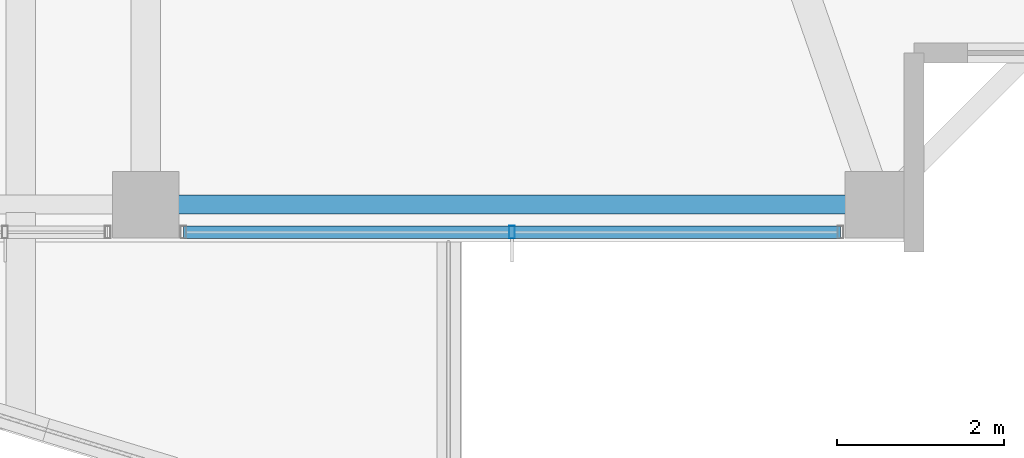
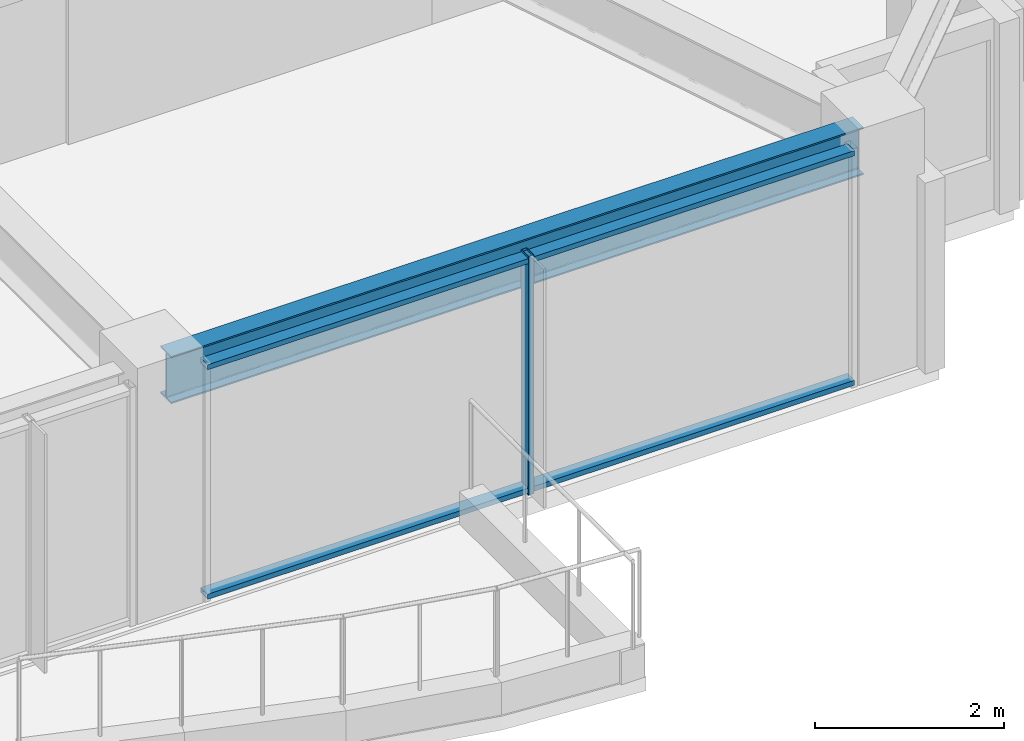
# One storey, part 7 of 36: 3 members, 1 beam, 1 element without a shape of its own.
"""IFC4 building model written with IfcOpenShell, lengths in metres."""

from ifc_helpers import new_model, si_unit, direction, frame, origin, origin_2d, place, context, subcontext, project, spatial, hollow_rectangle, i_section, extrude, material, material_profile, profile_set, type_object, element, aggregate, save


model = new_model("IFC4")

# Units and contexts
model_context = context("Model", 3, precision=1e-05, world=origin(), true_north=direction((0.0, 1.0)))
body_context = subcontext(model_context, "Body", "Model", "MODEL_VIEW")
ifc_project = project(units=[si_unit("LENGTHUNIT", "METRE"), si_unit("AREAUNIT", "SQUARE_METRE"), si_unit("VOLUMEUNIT", "CUBIC_METRE"), si_unit("PLANEANGLEUNIT", "RADIAN"), si_unit("MASSUNIT", "GRAM", prefix="KILO")], contexts=[model_context])

# Site, building, storey
site_placement = place(None, origin())
site = spatial("IfcSite", under=ifc_project, at=site_placement, CompositionType="ELEMENT")
building_placement = place(site_placement, origin())
building = spatial("IfcBuilding", under=site, at=building_placement, Name="Kolvaren Belvedere", CompositionType="ELEMENT")
storey_placement = place(building_placement, frame((0.0, 0.0, 196.5)))
storey = spatial("IfcBuildingStorey", under=building, at=storey_placement, Name="L57", CompositionType="ELEMENT", Elevation=196.5)

# Beam
ifc_material_1 = material(Name="Structural steel ASTM A992 Grade 50", Category="steel")
ifc_material_profile_1 = material_profile(ifc_material_1, i_section(OverallWidth=0.22900390625, OverallDepth=0.612060546875, WebThickness=0.011962890625, FlangeThickness=0.01953125, FilletRadius=0.01806640625, at=origin_2d()), Name="W24X84")
ifc_profile_set_1 = profile_set([ifc_material_profile_1], Name="Structural steel ASTM A992 Grade 50")
beam_type = type_object("IfcBeamType", Name="BM-SPAN-W24X84", PredefinedType="SPANDREL", material=ifc_profile_set_1)
beam_placement = place(storey_placement, frame((4.780029296875, -19.949951171875, 2.77392578125), z_axis=(1.0, 0.0, 0.0), x_axis=(0.0, 1.0, 0.0)))
element("IfcBeam", 1, at=beam_placement, inside=storey, type_object=beam_type, Name="L57 Perimeter Spandrel S3-S4", PredefinedType="SPANDREL", context=body_context, shape_type="SweptSolid", body=[
    extrude(i_section(OverallWidth=0.22900390625, OverallDepth=0.612060546875, WebThickness=0.011962890625, FlangeThickness=0.01953125, FilletRadius=0.01806640625, at=origin_2d()), origin(), (0.0, 0.0, 1.0), 8.43994140625),
])

# Curtain wall, members
ifc_material_2 = material(Name="Anodised pale-metal aluminium AA 6063-T6", Category="aluminium")
curtain_wall_type = type_object("IfcCurtainWallType", Name="CW-Z5-HIGH", PredefinedType="NOTDEFINED", material=ifc_material_2)
curtain_wall_placement = place(storey_placement, origin())
curtain_wall = element("IfcCurtainWall", 2, at=curtain_wall_placement, inside=storey, type_object=curtain_wall_type, Name="L57 Unitised Curtain Wall FCW-L57-S1-B1", PredefinedType="NOTDEFINED")
ifc_material_3 = material(Name="Anodised pale-metal aluminium AA 6063-T6", Category="aluminium")
ifc_material_profile_2 = material_profile(ifc_material_3, hollow_rectangle(XDim=0.070068359375, YDim=0.14990234375, WallThickness=0.004150390625, at=origin_2d()), Name="ALU-MUL-150X70")
ifc_profile_set_2 = profile_set([ifc_material_profile_2], Name="Anodised pale-metal aluminium AA 6063-T6")
member_type_1 = type_object("IfcMemberType", Name="CW-MUL-150", PredefinedType="MULLION", material=ifc_profile_set_2)
member_1_placement = place(storey_placement, frame((9.0, -20.280029296875, 0.0), z_axis=(0.0, 0.0, 1.0), x_axis=(1.0, 0.0, 0.0)))
member_1 = element("IfcMember", 3, at=member_1_placement, type_object=member_type_1, Name="FCW-L57-S1-B1 Unitised Mullion 2", PredefinedType="MULLION", context=body_context, shape_type="SweptSolid", body=[
    extrude(hollow_rectangle(XDim=0.070068359375, YDim=0.14990234375, WallThickness=0.004150390625, at=origin_2d()), origin(), (0.0, 0.0, 1.0), 3.080078125),
])
ifc_material_4 = material(Name="Anodised pale-metal aluminium AA 6063-T6", Category="aluminium")
ifc_material_profile_3 = material_profile(ifc_material_4, hollow_rectangle(XDim=0.06494140625, YDim=0.14990234375, WallThickness=0.00390625, at=origin_2d()), Name="ALU-TRN-150X65")
ifc_profile_set_3 = profile_set([ifc_material_profile_3], Name="Anodised pale-metal aluminium AA 6063-T6")
member_type_2 = type_object("IfcMemberType", Name="CW-TRN-150", PredefinedType="USERDEFINED", material=ifc_profile_set_3)
member_2_placement = place(storey_placement, frame((12.945068359375, -20.280029296875, 0.06005859375), z_axis=(-1.0, 0.0, 0.0), x_axis=(0.0, 0.0, 1.0)))
member_2 = element("IfcMember", 4, at=member_2_placement, type_object=member_type_2, Name="FCW-L57-S1-B1 Sill Transom", ObjectType="TRANSOM", PredefinedType="USERDEFINED", context=body_context, shape_type="SweptSolid", body=[
    extrude(hollow_rectangle(XDim=0.06494140625, YDim=0.14990234375, WallThickness=0.00390625, at=origin_2d()), origin(), (0.0, 0.0, 1.0), 7.89013671875),
])
member_3_placement = place(storey_placement, frame((12.945068359375, -20.280029296875, 3.02001953125), z_axis=(-1.0, 0.0, 0.0), x_axis=(0.0, 0.0, 1.0)))
member_3 = element("IfcMember", 5, at=member_3_placement, type_object=member_type_2, Name="FCW-L57-S1-B1 Head Transom", ObjectType="TRANSOM", PredefinedType="USERDEFINED", context=body_context, shape_type="SweptSolid", body=[
    extrude(hollow_rectangle(XDim=0.06494140625, YDim=0.14990234375, WallThickness=0.00390625, at=origin_2d()), origin(), (0.0, 0.0, 1.0), 7.89013671875),
])
aggregate(curtain_wall, [member_1, member_2, member_3])

save(model, "model.ifc")
